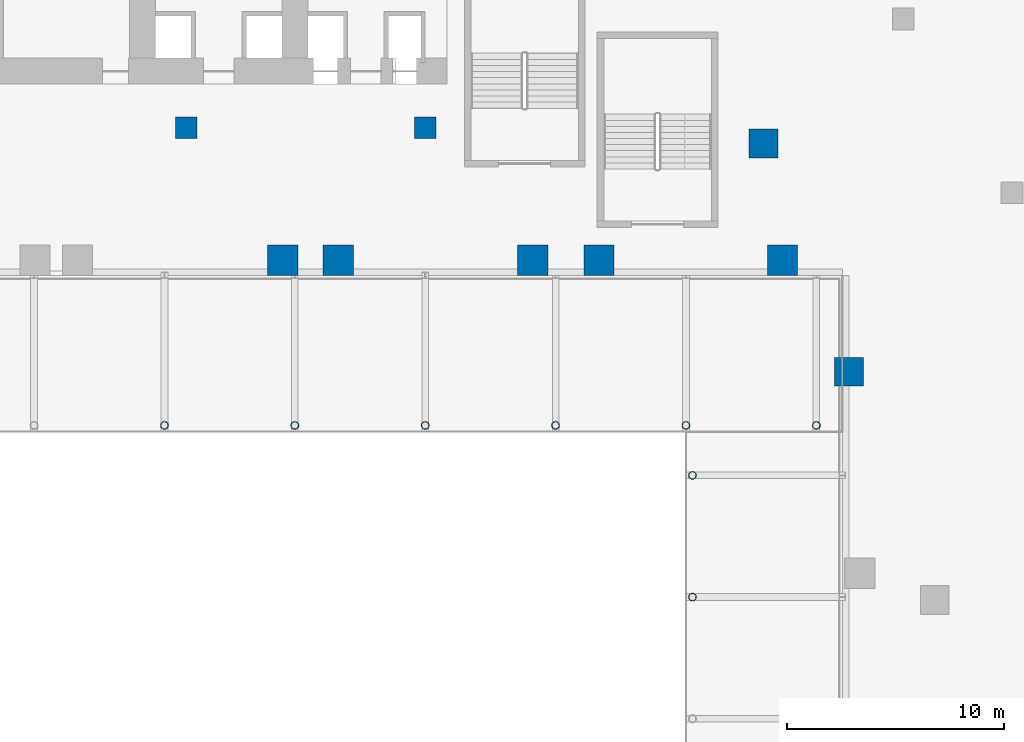
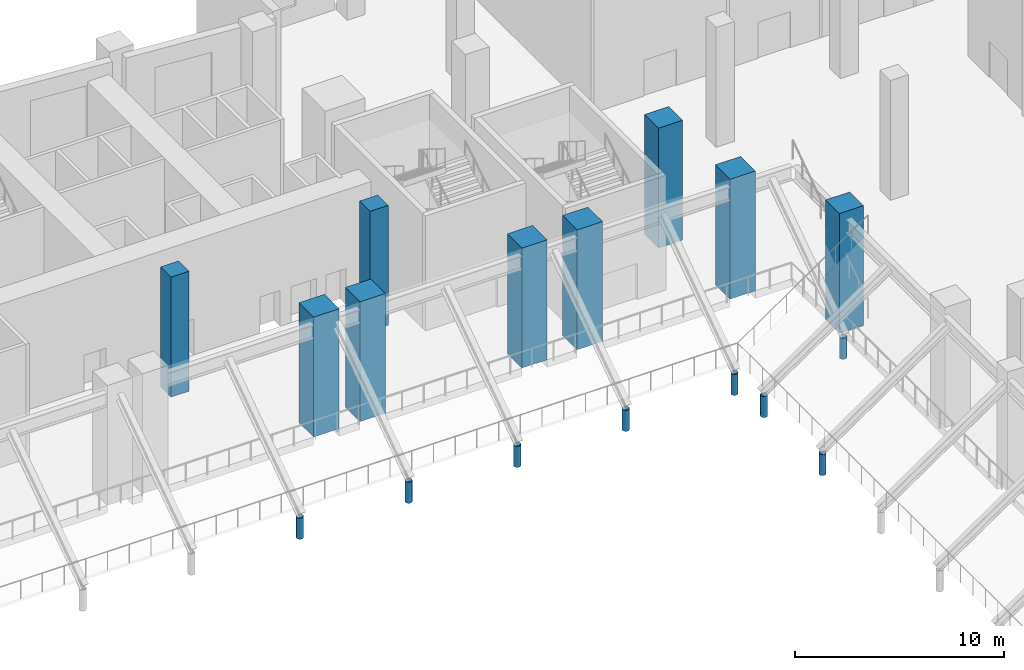
# One storey, part 7 of 41: 17 columns.
"""IFC4 building model written with IfcOpenShell, lengths in metres."""

from ifc_helpers import new_model, si_unit, direction, frame, origin, origin_2d, place, context, subcontext, project, spatial, rectangle, hollow_circle, extrude, material, material_profile, profile_set, type_object, element, save


model = new_model("IFC4")

# Units and contexts
model_context = context("Model", 3, precision=1e-05, world=origin(), true_north=direction((0.0, 1.0)))
body_context = subcontext(model_context, "Body", "Model", "MODEL_VIEW")
ifc_project = project(units=[si_unit("LENGTHUNIT", "METRE"), si_unit("AREAUNIT", "SQUARE_METRE"), si_unit("VOLUMEUNIT", "CUBIC_METRE"), si_unit("PLANEANGLEUNIT", "RADIAN"), si_unit("MASSUNIT", "GRAM", prefix="KILO")], contexts=[model_context])

# Site, building, storey
site_placement = place(None, origin())
site = spatial("IfcSite", under=ifc_project, at=site_placement, CompositionType="ELEMENT")
building_placement = place(site_placement, origin())
building = spatial("IfcBuilding", under=site, at=building_placement, Name="Wharfspan Tower", CompositionType="ELEMENT")
storey_placement = place(building_placement, frame((0.0, 0.0, 8.0)))
storey = spatial("IfcBuildingStorey", under=building, at=storey_placement, Name="L01", CompositionType="ELEMENT", Elevation=8.0)

# Columns
ifc_material_1 = material(Name="Concrete C60/75", Category="concrete")
ifc_material_profile_1 = material_profile(ifc_material_1, rectangle(XDim=1.0, YDim=1.0, at=origin_2d()))
ifc_profile_set_1 = profile_set([ifc_material_profile_1], Name="Concrete C60/75")
column_type_1 = type_object("IfcColumnType", Name="Concrete column 1000 square", PredefinedType="COLUMN", material=ifc_profile_set_1)
for number, where, z_axis, x_axis, name in (
    (1, (53.0, 32.0, 0.0), (0.0, 0.0, 1.0), (1.0, 0.0, 0.0), "Column D.40"),
    (2, (64.0, 32.0, 0.0), (0.0, 0.0, 1.0), (1.0, 0.0, 0.0), "Column D.43"),
):
    element("IfcColumn", number, at=place(storey_placement, frame(where, z_axis=z_axis, x_axis=x_axis)), inside=storey, type_object=column_type_1, Name=name, PredefinedType="COLUMN", context=body_context, shape_type="SweptSolid", body=[
        extrude(rectangle(XDim=1.0, YDim=1.0, at=origin_2d()), origin(), (0.0, 0.0, 1.0), 7.0),
    ])
ifc_material_profile_2 = material_profile(ifc_material_1, rectangle(XDim=1.320068, YDim=1.320068, at=origin_2d()))
ifc_profile_set_2 = profile_set([ifc_material_profile_2], Name="Concrete C60/75")
column_type_2 = type_object("IfcColumnType", Name="Concrete column 1320 square", PredefinedType="COLUMN", material=ifc_profile_set_2)
for number, where, z_axis, x_axis, name in (
    (3, (83.50708, 20.768311, 0.0), (0.0, 0.0, 1.0), (1.0, 0.0, 0.0), "Column T.PE.2"),
    (4, (79.56958, 31.268311, 0.0), (0.0, 0.0, 1.0), (1.0, 0.0, 0.0), "Column T.PE.3"),
):
    element("IfcColumn", number, at=place(storey_placement, frame(where, z_axis=z_axis, x_axis=x_axis)), inside=storey, type_object=column_type_2, Name=name, PredefinedType="COLUMN", context=body_context, shape_type="SweptSolid", body=[
        extrude(rectangle(XDim=1.320068, YDim=1.320068, at=origin_2d()), origin(), (0.0, 0.0, 1.0), 7.0),
    ])
ifc_material_profile_3 = material_profile(ifc_material_1, rectangle(XDim=1.399902, YDim=1.399902, at=origin_2d()))
ifc_profile_set_3 = profile_set([ifc_material_profile_3], Name="Concrete C60/75")
column_type_3 = type_object("IfcColumnType", Name="Concrete column 1400 square", PredefinedType="COLUMN", material=ifc_profile_set_3)
for number, where, z_axis, x_axis, name in (
    (5, (57.441895, 25.899902, 0.0), (0.0, 0.0, 1.0), (1.0, 0.0, 0.0), "Column RN.8"),
    (6, (60.0, 25.899902, 0.0), (0.0, 0.0, 1.0), (1.0, 0.0, 0.0), "Column RN.9"),
    (7, (68.941895, 25.899902, 0.0), (0.0, 0.0, 1.0), (1.0, 0.0, 0.0), "Column RN.10"),
    (8, (72.0, 25.899902, 0.0), (0.0, 0.0, 1.0), (1.0, 0.0, 0.0), "Column RN.11"),
    (9, (80.441895, 25.899902, 0.0), (0.0, 0.0, 1.0), (1.0, 0.0, 0.0), "Column RN.12"),
):
    element("IfcColumn", number, at=place(storey_placement, frame(where, z_axis=z_axis, x_axis=x_axis)), inside=storey, type_object=column_type_3, Name=name, PredefinedType="COLUMN", context=body_context, shape_type="SweptSolid", body=[
        extrude(rectangle(XDim=1.399902, YDim=1.399902, at=origin_2d()), origin(), (0.0, 0.0, 1.0), 7.0),
    ])
ifc_material_2 = material(Name="Steel S460NH", Category="steel")
ifc_material_profile_4 = material_profile(ifc_material_2, hollow_circle(Radius=0.177734, WallThickness=0.016113, at=origin_2d()))
ifc_profile_set_4 = profile_set([ifc_material_profile_4], Name="Steel S460NH")
column_type_4 = type_object("IfcColumnType", Name="Tier column CHS 356x16", PredefinedType="COLUMN", material=ifc_profile_set_4)
for number, where, z_axis, x_axis, name in (
    (10, (52.0, 18.300049, 0.0), (0.0, 0.0, 1.0), (1.0, 0.0, 0.0), "Upper tier column"),
    (11, (58.0, 18.300049, 0.0), (0.0, 0.0, 1.0), (1.0, 0.0, 0.0), "Upper tier column"),
    (12, (64.0, 18.300049, 0.0), (0.0, 0.0, 1.0), (1.0, 0.0, 0.0), "Upper tier column"),
    (13, (70.0, 18.300049, 0.0), (0.0, 0.0, 1.0), (1.0, 0.0, 0.0), "Upper tier column"),
    (14, (76.0, 18.300049, 0.0), (0.0, 0.0, 1.0), (1.0, 0.0, 0.0), "Upper tier column"),
    (15, (82.0, 18.300049, 0.0), (0.0, 0.0, 1.0), (1.0, 0.0, 0.0), "Upper tier column"),
    (16, (76.300049, 10.399902, 0.0), (0.0, 0.0, 1.0), (1.0, 0.0, 0.0), "Upper tier column"),
    (17, (76.300049, 16.0, 0.0), (0.0, 0.0, 1.0), (1.0, 0.0, 0.0), "Upper tier column"),
):
    element("IfcColumn", number, at=place(storey_placement, frame(where, z_axis=z_axis, x_axis=x_axis)), inside=storey, type_object=column_type_4, Name=name, PredefinedType="COLUMN", context=body_context, shape_type="SweptSolid", body=[
        extrude(hollow_circle(Radius=0.177734, WallThickness=0.016113, at=origin_2d()), origin(), (0.0, 0.0, 1.0), 1.229248),
    ])

save(model, "model.ifc")
